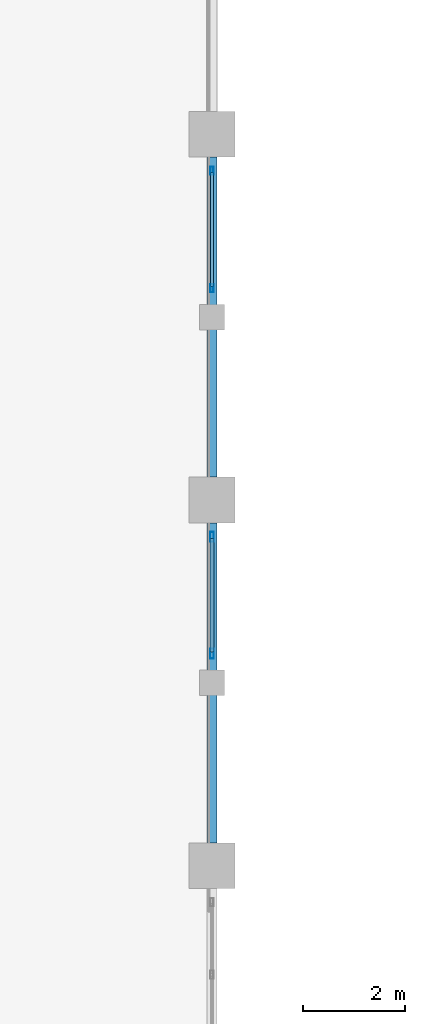
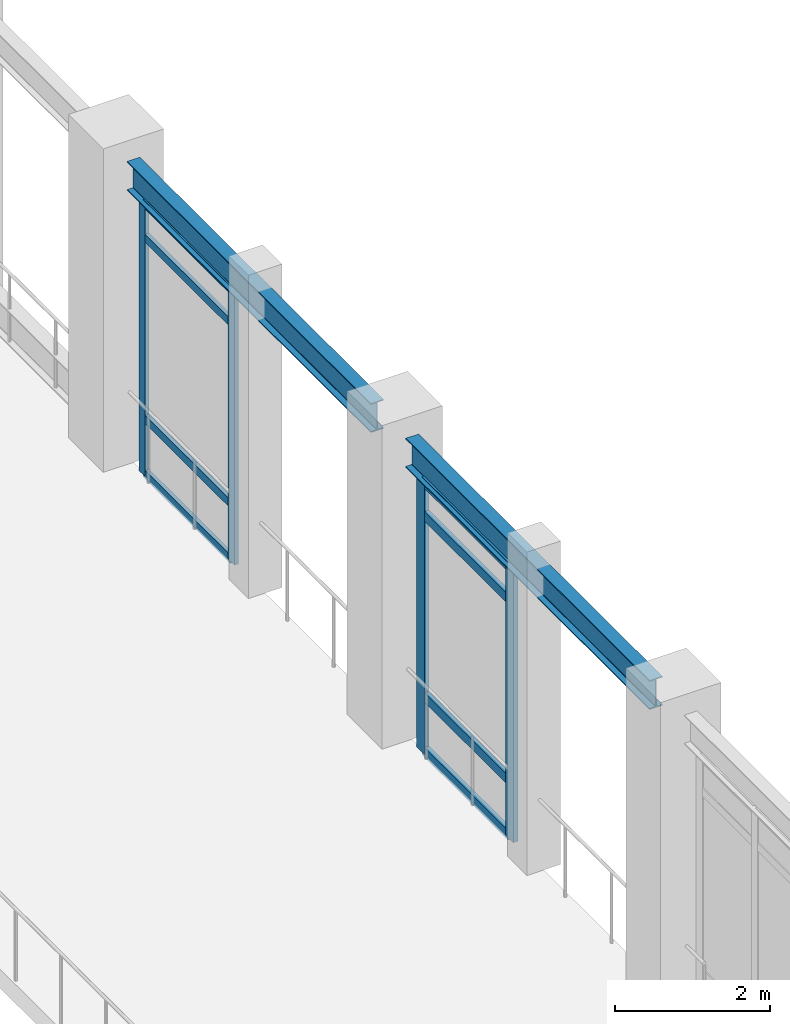
# One storey, part 18 of 117: 12 members, 2 beams, 2 elements without a shape of their own.
"""IFC4 building model written with IfcOpenShell, lengths in metres."""

from ifc_helpers import new_model, si_unit, direction, frame, origin, origin_2d, place, context, subcontext, project, spatial, hollow_rectangle, i_section, extrude, material, layer, layer_set, material_profile, profile_set, type_object, element, aggregate, save


model = new_model("IFC4")

# Units and contexts
model_context = context("Model", 3, precision=1e-05, world=origin(), true_north=direction((0.0, 1.0)))
body_context = subcontext(model_context, "Body", "Model", "MODEL_VIEW")
ifc_project = project(units=[si_unit("LENGTHUNIT", "METRE"), si_unit("AREAUNIT", "SQUARE_METRE"), si_unit("VOLUMEUNIT", "CUBIC_METRE"), si_unit("PLANEANGLEUNIT", "RADIAN"), si_unit("MASSUNIT", "GRAM", prefix="KILO")], contexts=[model_context])

# Site, building, storey
site_placement = place(None, origin())
site = spatial("IfcSite", under=ifc_project, at=site_placement, CompositionType="ELEMENT")
building_placement = place(site_placement, origin())
building = spatial("IfcBuilding", under=site, at=building_placement, Name="Carrowvane Square Congress Hotel", CompositionType="ELEMENT")
storey_placement = place(building_placement, frame((0.0, 0.0, 5.39990234375)))
storey = spatial("IfcBuildingStorey", under=building, at=storey_placement, Name="L01", CompositionType="ELEMENT", Elevation=5.39990234375)

# Beams
ifc_material_1 = material(Name="Steel S355", Category="steel")
ifc_material_profile_1 = material_profile(ifc_material_1, i_section(OverallWidth=0.19140625, OverallDepth=0.4599609375, WebThickness=0.010009765625, FlangeThickness=0.01611328125, FilletRadius=0.01025390625, at=origin_2d()), Name="UKB 457x191x82")
ifc_profile_set_1 = profile_set([ifc_material_profile_1], Name="Steel S355")
beam_type = type_object("IfcBeamType", Name="BM-ST-UKB457", PredefinedType="SPANDREL", material=ifc_profile_set_1)
for number, where, z_axis, x_axis, name in (
    (1, (62.0, 13.050048828125, 4.550048828125), (0.0, 1.0, 0.0), (-1.0, 0.0, 0.0), "L02 girder 8/B-C"),
    (2, (62.0, 20.25, 4.550048828125), (0.0, 1.0, 0.0), (-1.0, 0.0, 0.0), "L02 girder 8/C-D"),
):
    element("IfcBeam", number, at=place(storey_placement, frame(where, z_axis=z_axis, x_axis=x_axis)), inside=storey, type_object=beam_type, Name=name, PredefinedType="SPANDREL", context=body_context, shape_type="SweptSolid", body=[
        extrude(i_section(OverallWidth=0.19140625, OverallDepth=0.4599609375, WebThickness=0.010009765625, FlangeThickness=0.01611328125, FilletRadius=0.01025390625, at=origin_2d()), origin(), (0.0, 0.0, 1.0), 6.300048828125),
    ])

# Curtain wall, members
ifc_material_2 = material(Name="Anodised aluminium", Category="aluminium")
ifc_layer_1 = layer(ifc_material_2, 0.2099609375)
ifc_layer_set_1 = layer_set([ifc_layer_1], Name="Anodised aluminium")
curtain_wall_type_1 = type_object("IfcCurtainWallType", Name="CW-SYS-5", PredefinedType="NOTDEFINED", material=ifc_layer_set_1)
curtain_wall_1_placement = place(storey_placement, origin())
curtain_wall_1 = element("IfcCurtainWall", 3, at=curtain_wall_1_placement, inside=storey, type_object=curtain_wall_type_1, Name="L01 unitised curtain wall 124", PredefinedType="NOTDEFINED")
ifc_material_3 = material(Name="Anodised aluminium", Category="aluminium")
ifc_material_profile_2 = material_profile(ifc_material_3, hollow_rectangle(XDim=0.06005859375, YDim=0.159912109375, WallThickness=0.00390625, at=origin_2d()), Name="CW-ML 60x160x4")
ifc_profile_set_2 = profile_set([ifc_material_profile_2], Name="Anodised aluminium")
member_type_1 = type_object("IfcMemberType", Name="CW-MUL-1", PredefinedType="MULLION", material=ifc_profile_set_2)
member_1_placement = place(storey_placement, frame((62.0, 26.280029296875, 0.0), z_axis=(0.0, 0.0, 1.0), x_axis=(1.0, 0.0, 0.0)))
member_1 = element("IfcMember", 4, at=member_1_placement, type_object=member_type_1, Name="CW-5 mullion 1", PredefinedType="MULLION", context=body_context, shape_type="SweptSolid", body=[
    extrude(hollow_rectangle(XDim=0.06005859375, YDim=0.159912109375, WallThickness=0.00390625, at=origin_2d()), origin(), (0.0, 0.0, 1.0), 4.30517578125),
])
member_2_placement = place(storey_placement, frame((62.0, 23.969970703125, 0.0), z_axis=(0.0, 0.0, 1.0), x_axis=(1.0, 0.0, 0.0)))
member_2 = element("IfcMember", 5, at=member_2_placement, type_object=member_type_1, Name="CW-5 mullion 2", PredefinedType="MULLION", context=body_context, shape_type="SweptSolid", body=[
    extrude(hollow_rectangle(XDim=0.06005859375, YDim=0.159912109375, WallThickness=0.00390625, at=origin_2d()), origin(), (0.0, 0.0, 1.0), 4.30517578125),
])

ifc_material_4 = material(Name="Anodised aluminium", Category="aluminium")
ifc_layer_2 = layer(ifc_material_4, 0.221923828125)
ifc_layer_set_2 = layer_set([ifc_layer_2], Name="Anodised aluminium")
curtain_wall_type_2 = type_object("IfcCurtainWallType", Name="CW-SYS-6", PredefinedType="NOTDEFINED", material=ifc_layer_set_2)
curtain_wall_2_placement = place(storey_placement, origin())
curtain_wall_2 = element("IfcCurtainWall", 6, at=curtain_wall_2_placement, inside=storey, type_object=curtain_wall_type_2, Name="L01 unitised curtain wall 125", PredefinedType="NOTDEFINED")
ifc_material_5 = material(Name="Anodised aluminium", Category="aluminium")
ifc_material_profile_3 = material_profile(ifc_material_5, hollow_rectangle(XDim=0.070068359375, YDim=0.199951171875, WallThickness=0.0048828125, at=origin_2d()), Name="CW-ML 70x200x5")
ifc_profile_set_3 = profile_set([ifc_material_profile_3], Name="Anodised aluminium")
member_type_2 = type_object("IfcMemberType", Name="CW-MUL-2", PredefinedType="MULLION", material=ifc_profile_set_3)
member_3_placement = place(storey_placement, frame((62.0, 19.074951171875, 0.0), z_axis=(0.0, 0.0, 1.0), x_axis=(1.0, 0.0, 0.0)))
member_3 = element("IfcMember", 7, at=member_3_placement, type_object=member_type_2, Name="CW-6 mullion 1", PredefinedType="MULLION", context=body_context, shape_type="SweptSolid", body=[
    extrude(hollow_rectangle(XDim=0.070068359375, YDim=0.199951171875, WallThickness=0.0048828125, at=origin_2d()), origin(), (0.0, 0.0, 1.0), 4.30517578125),
])
member_4_placement = place(storey_placement, frame((62.0, 16.77490234375, 0.0), z_axis=(0.0, 0.0, 1.0), x_axis=(1.0, 0.0, 0.0)))
member_4 = element("IfcMember", 8, at=member_4_placement, type_object=member_type_2, Name="CW-6 mullion 2", PredefinedType="MULLION", context=body_context, shape_type="SweptSolid", body=[
    extrude(hollow_rectangle(XDim=0.070068359375, YDim=0.199951171875, WallThickness=0.0048828125, at=origin_2d()), origin(), (0.0, 0.0, 1.0), 4.30517578125),
])

# Member
ifc_material_6 = material(Name="Anodised aluminium", Category="aluminium")
ifc_material_profile_4 = material_profile(ifc_material_6, hollow_rectangle(XDim=0.06005859375, YDim=0.1298828125, WallThickness=0.00390625, at=origin_2d()), Name="CW-TR 60x130x4")
ifc_profile_set_4 = profile_set([ifc_material_profile_4], Name="Anodised aluminium")
member_type_3 = type_object("IfcMemberType", Name="CW-TRN-1", PredefinedType="USERDEFINED", material=ifc_profile_set_4)
member_5_placement = place(storey_placement, frame((62.0, 26.25, 0.030029296875), z_axis=(0.0, -1.0, 0.0), x_axis=(1.0, 0.0, 0.0)))
member_5 = element("IfcMember", 9, at=member_5_placement, type_object=member_type_3, Name="CW-5 transom 1.1", ObjectType="TRANSOM", PredefinedType="USERDEFINED", context=body_context, shape_type="SweptSolid", body=[
    extrude(hollow_rectangle(XDim=0.06005859375, YDim=0.1298828125, WallThickness=0.00390625, at=origin_2d()), origin(), (0.0, 0.0, 1.0), 2.25),
])

member_6_placement = place(storey_placement, frame((62.0, 26.25, 0.900146484375), z_axis=(0.0, -1.0, 0.0), x_axis=(1.0, 0.0, 0.0)))
member_6 = element("IfcMember", 10, at=member_6_placement, type_object=member_type_3, Name="CW-5 transom 1.2", ObjectType="TRANSOM", PredefinedType="USERDEFINED", context=body_context, shape_type="SweptSolid", body=[
    extrude(hollow_rectangle(XDim=0.06005859375, YDim=0.1298828125, WallThickness=0.00390625, at=origin_2d()), origin(), (0.0, 0.0, 1.0), 2.25),
])

member_7_placement = place(storey_placement, frame((62.0, 26.25, 3.755126953125), z_axis=(0.0, -1.0, 0.0), x_axis=(1.0, 0.0, 0.0)))
member_7 = element("IfcMember", 11, at=member_7_placement, type_object=member_type_3, Name="CW-5 transom 1.3", ObjectType="TRANSOM", PredefinedType="USERDEFINED", context=body_context, shape_type="SweptSolid", body=[
    extrude(hollow_rectangle(XDim=0.06005859375, YDim=0.1298828125, WallThickness=0.00390625, at=origin_2d()), origin(), (0.0, 0.0, 1.0), 2.25),
])

member_8_placement = place(storey_placement, frame((62.0, 26.25, 4.275146484375), z_axis=(0.0, -1.0, 0.0), x_axis=(1.0, 0.0, 0.0)))
member_8 = element("IfcMember", 12, at=member_8_placement, type_object=member_type_3, Name="CW-5 transom 1.4", ObjectType="TRANSOM", PredefinedType="USERDEFINED", context=body_context, shape_type="SweptSolid", body=[
    extrude(hollow_rectangle(XDim=0.06005859375, YDim=0.1298828125, WallThickness=0.00390625, at=origin_2d()), origin(), (0.0, 0.0, 1.0), 2.25),
])

aggregate(curtain_wall_1, [member_1, member_2, member_5, member_6, member_7, member_8])

ifc_material_7 = material(Name="Anodised aluminium", Category="aluminium")
ifc_material_profile_5 = material_profile(ifc_material_7, hollow_rectangle(XDim=0.070068359375, YDim=0.14990234375, WallThickness=0.0048828125, at=origin_2d()), Name="CW-TR 70x150x5")
ifc_profile_set_5 = profile_set([ifc_material_profile_5], Name="Anodised aluminium")
member_type_4 = type_object("IfcMemberType", Name="CW-TRN-2", PredefinedType="USERDEFINED", material=ifc_profile_set_5)
member_9_placement = place(storey_placement, frame((62.0, 19.0400390625, 0.03515625), z_axis=(0.0, -1.0, 0.0), x_axis=(1.0, 0.0, 0.0)))
member_9 = element("IfcMember", 13, at=member_9_placement, type_object=member_type_4, Name="CW-6 transom 1.1", ObjectType="TRANSOM", PredefinedType="USERDEFINED", context=body_context, shape_type="SweptSolid", body=[
    extrude(hollow_rectangle(XDim=0.070068359375, YDim=0.14990234375, WallThickness=0.0048828125, at=origin_2d()), origin(), (0.0, 0.0, 1.0), 2.22998046875),
])

member_10_placement = place(storey_placement, frame((62.0, 19.0400390625, 0.900146484375), z_axis=(0.0, -1.0, 0.0), x_axis=(1.0, 0.0, 0.0)))
member_10 = element("IfcMember", 14, at=member_10_placement, type_object=member_type_4, Name="CW-6 transom 1.2", ObjectType="TRANSOM", PredefinedType="USERDEFINED", context=body_context, shape_type="SweptSolid", body=[
    extrude(hollow_rectangle(XDim=0.070068359375, YDim=0.14990234375, WallThickness=0.0048828125, at=origin_2d()), origin(), (0.0, 0.0, 1.0), 2.22998046875),
])

member_11_placement = place(storey_placement, frame((62.0, 19.0400390625, 3.755126953125), z_axis=(0.0, -1.0, 0.0), x_axis=(1.0, 0.0, 0.0)))
member_11 = element("IfcMember", 15, at=member_11_placement, type_object=member_type_4, Name="CW-6 transom 1.3", ObjectType="TRANSOM", PredefinedType="USERDEFINED", context=body_context, shape_type="SweptSolid", body=[
    extrude(hollow_rectangle(XDim=0.070068359375, YDim=0.14990234375, WallThickness=0.0048828125, at=origin_2d()), origin(), (0.0, 0.0, 1.0), 2.22998046875),
])

member_12_placement = place(storey_placement, frame((62.0, 19.0400390625, 4.27001953125), z_axis=(0.0, -1.0, 0.0), x_axis=(1.0, 0.0, 0.0)))
member_12 = element("IfcMember", 16, at=member_12_placement, type_object=member_type_4, Name="CW-6 transom 1.4", ObjectType="TRANSOM", PredefinedType="USERDEFINED", context=body_context, shape_type="SweptSolid", body=[
    extrude(hollow_rectangle(XDim=0.070068359375, YDim=0.14990234375, WallThickness=0.0048828125, at=origin_2d()), origin(), (0.0, 0.0, 1.0), 2.22998046875),
])

aggregate(curtain_wall_2, [member_3, member_4, member_9, member_10, member_11, member_12])

save(model, "model.ifc")
